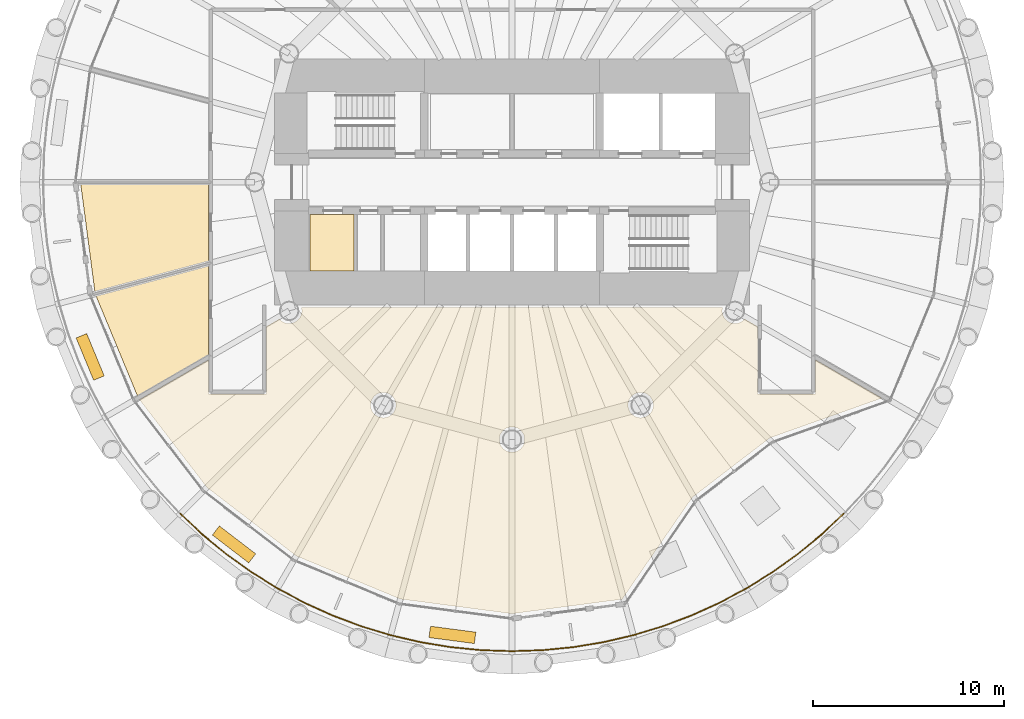
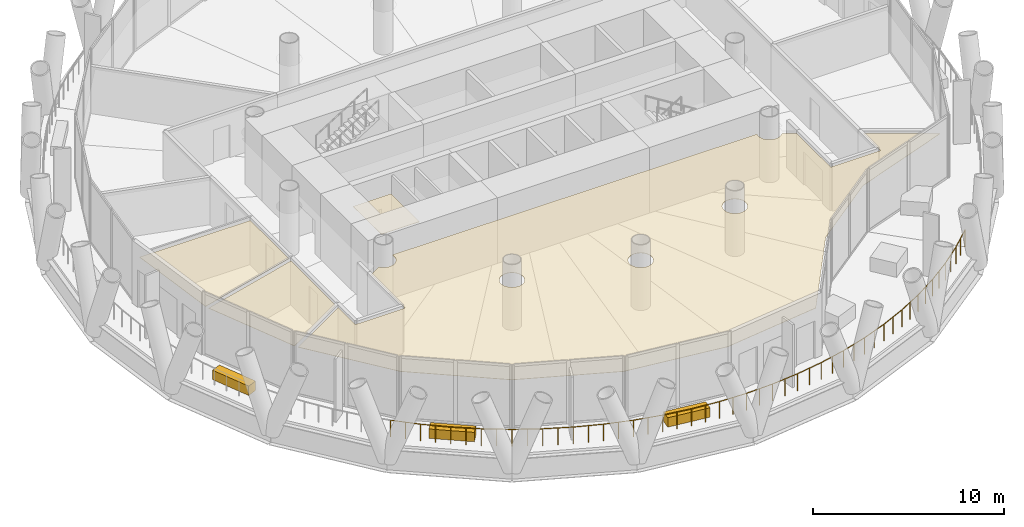
# One storey, part 12 of 15: 7 coverings, 1 railing.
"""IFC4 building model written with IfcOpenShell, lengths in metres."""

import ifcopenshell
import ifcopenshell.guid

model = None  # the IFC model being written
_history = None  # IfcOwnerHistory: only IFC2X3 demands one
_inside = {}  # id of a spatial element -> (the spatial element, [elements in it])
_under = {}  # id of a project, library or spatial element -> (it, [spatial elements below it])
_declared = {}  # id of a project -> (the project, [libraries it declares])
_typed = {}  # id of a type object -> (the type object, [elements of that type])
_made_of = {}  # id of a material, layer set ... -> (it, [elements and type objects made of it])


def new_model(schema):
    """Start an empty IFC model of exactly this schema.

    Asked for "IFC4X3", IfcOpenShell would pick the latest addendum, in which some entities
    have other attributes; the version numbers below select the first issue.
    IFC2X3 requires an IfcOwnerHistory on every rooted entity: one is made here for all.
    """
    global model, _history
    if schema == "IFC4X3":
        model = ifcopenshell.file(schema_version=(4, 3, 0, 0))
    else:
        model = ifcopenshell.file(schema=schema)
    _inside.clear()
    _under.clear()
    _declared.clear()
    _typed.clear()
    _made_of.clear()
    _history = None
    if model.schema == "IFC2X3":
        org = make("IfcOrganization", Name="unknown")
        user = make(
            "IfcPersonAndOrganization",
            ThePerson=make("IfcPerson", FamilyName="unknown"),
            TheOrganization=org,
        )
        app = make(
            "IfcApplication",
            ApplicationDeveloper=org,
            Version="unknown",
            ApplicationFullName="unknown",
            ApplicationIdentifier="unknown",
        )
        _history = make(
            "IfcOwnerHistory",
            OwningUser=user,
            OwningApplication=app,
            ChangeAction="ADDED",
            CreationDate=0,
        )
    return model


def make(cls, **values):
    """One entity of the class cls with the attributes given. An attribute that is None is left unset."""
    return model.create_entity(
        cls, **{name: value for name, value in values.items() if value is not None}
    )


def rooted(cls, **values):
    """An entity with a GlobalId (a new one), such as an element, a storey or a relation."""
    return make(cls, GlobalId=ifcopenshell.guid.new(), OwnerHistory=_history, **values)


def si_unit(unit_type, name, prefix=None):
    """IfcSIUnit, for example si_unit("LENGTHUNIT", "METRE", prefix="MILLI")."""
    return make("IfcSIUnit", UnitType=unit_type, Prefix=prefix, Name=name)


def assignment(units):
    """IfcUnitAssignment: the units of a project."""
    return None if units is None else make("IfcUnitAssignment", Units=units)


def point(xyz):
    """IfcCartesianPoint."""
    return None if xyz is None else make("IfcCartesianPoint", Coordinates=xyz)


def direction(xyz):
    """IfcDirection."""
    return None if xyz is None else make("IfcDirection", DirectionRatios=xyz)


def frame(location, z_axis=None, x_axis=None):
    """IfcAxis2Placement3D, a coordinate frame: its origin and axes. An axis left out is left unset."""
    return make(
        "IfcAxis2Placement3D",
        Location=point(location),
        Axis=direction(z_axis),
        RefDirection=direction(x_axis),
    )


def frame_2d(location, x_axis=None):
    """IfcAxis2Placement2D, a coordinate frame in the plane: its origin and x axis."""
    return make(
        "IfcAxis2Placement2D", Location=point(location), RefDirection=direction(x_axis)
    )


def origin():
    """The frame at (0, 0, 0) with its axes left unset."""
    return frame((0.0, 0.0, 0.0))


def origin_2d():
    """The frame at (0, 0) in the plane with its x axis left unset."""
    return frame_2d((0.0, 0.0))


def place(relative_to, where):
    """IfcLocalPlacement: puts the frame where relative to a parent placement (None: the world)."""
    return make(
        "IfcLocalPlacement", PlacementRelTo=relative_to, RelativePlacement=where
    )


def context(
    kind, dimensions, precision=None, world=None, true_north=None, identifier=None
):
    """IfcGeometricRepresentationContext, for example the 3D "Model" context."""
    return make(
        "IfcGeometricRepresentationContext",
        ContextIdentifier=identifier,
        ContextType=kind,
        CoordinateSpaceDimension=dimensions,
        Precision=precision,
        WorldCoordinateSystem=world,
        TrueNorth=true_north,
    )


def subcontext(parent, identifier, kind, view, scale=None):
    """IfcGeometricRepresentationSubContext, for example "Body" below "Model"."""
    return make(
        "IfcGeometricRepresentationSubContext",
        ContextIdentifier=identifier,
        ContextType=kind,
        ParentContext=parent,
        TargetScale=scale,
        TargetView=view,
    )


def project(units=None, contexts=None):
    """IfcProject with its units and contexts."""
    return rooted(
        "IfcProject",
        Name="project",
        RepresentationContexts=contexts,
        UnitsInContext=assignment(units),
    )


def spatial(cls, under=None, at=None, **own):
    """A site, building, storey or space (cls), placed at a placement, below another one or the project."""
    s = rooted(cls, ObjectPlacement=at, **own)
    if under is not None:
        _under.setdefault(under.id(), (under, []))[1].append(s)
    return s


def polyline(points):
    """IfcPolyline through the points."""
    return make("IfcPolyline", Points=[point(p) for p in points])


def profile(cls, at=None, kind="AREA", **sizes):
    """A parametric profile (cls). Its sizes go by their IFC names, for example OverallWidth=200.0."""
    return make(cls, ProfileType=kind, Position=at, **sizes)


def rectangle(**sizes):
    """IfcRectangleProfileDef."""
    return profile("IfcRectangleProfileDef", **sizes)


def circle(**sizes):
    """IfcCircleProfileDef."""
    return profile("IfcCircleProfileDef", **sizes)


def outline(outer, holes=None, kind="AREA"):
    """IfcArbitraryClosedProfileDef: a profile drawn as a closed curve; with holes, ...WithVoids."""
    if holes is None:
        return make("IfcArbitraryClosedProfileDef", ProfileType=kind, OuterCurve=outer)
    return make(
        "IfcArbitraryProfileDefWithVoids",
        ProfileType=kind,
        OuterCurve=outer,
        InnerCurves=holes,
    )


def extrude(swept, where, along, depth):
    """IfcExtrudedAreaSolid: the profile swept, set in the frame where, extruded along a direction by depth."""
    return make(
        "IfcExtrudedAreaSolid",
        SweptArea=swept,
        Position=where,
        ExtrudedDirection=direction(along),
        Depth=depth,
    )


def shape(context_of_items, identifier, shape_type, items):
    """IfcShapeRepresentation: the items that make up one representation, for example the "Body"."""
    return make(
        "IfcShapeRepresentation",
        ContextOfItems=context_of_items,
        RepresentationIdentifier=identifier,
        RepresentationType=shape_type,
        Items=items,
    )


def material(Name=None, Category=None):
    """IfcMaterial."""
    return make("IfcMaterial", Name=Name, Category=Category)


def layer(
    of_material, thickness, ventilated=None, Name=None, Category=None, Priority=None
):
    """IfcMaterialLayer: one layer of a wall or slab, of a material (None: an air gap)."""
    return make(
        "IfcMaterialLayer",
        Material=of_material,
        LayerThickness=thickness,
        IsVentilated=ventilated,
        Name=Name,
        Category=Category,
        Priority=Priority,
    )


def layer_set(layers, Name=None):
    """IfcMaterialLayerSet."""
    return make("IfcMaterialLayerSet", MaterialLayers=layers, LayerSetName=Name)


def made_of(thing, what):
    """Note that an element or type object is made of a material, layer set ...; save() writes the relation."""
    if what is not None:
        _made_of.setdefault(what.id(), (what, []))[1].append(thing)
    return thing


def type_object(cls, material=None, **own):
    """A type object (cls), such as IfcWallType, which elements share."""
    return made_of(rooted(cls, **own), material)


def element(
    cls,
    number,
    at=None,
    inside=None,
    cuts=None,
    type_object=None,
    material=None,
    context=None,
    identifier="Body",
    shape_type=None,
    held_by="IfcProductDefinitionShape",
    body=None,
    shapes=None,
    **own,
):
    """One element of the class cls, such as IfcWall. Its Tag is "e" and its number.

    at: its placement. inside: the storey or other place that contains it. cuts: it is an
    opening in that element (IfcRelVoidsElement). A single representation is given by context,
    identifier, shape_type and body (its items); several are given by shapes. held_by: the class
    of the entity that holds the representations. save() writes the other relations.
    """
    e = rooted(cls, Tag="e%d" % number, ObjectPlacement=at, **own)
    if body is not None:
        shapes = [shape(context, identifier, shape_type, body)]
    if shapes is not None:
        e.Representation = make(held_by, Representations=shapes)
    if inside is not None:
        _inside.setdefault(inside.id(), (inside, []))[1].append(e)
    if cuts is not None:
        rooted(
            "IfcRelVoidsElement", RelatingBuildingElement=cuts, RelatedOpeningElement=e
        )
    if type_object is not None:
        _typed.setdefault(type_object.id(), (type_object, []))[1].append(e)
    return made_of(e, material)


def aggregate(whole, parts):
    """IfcRelAggregates: a whole, such as a stair, and the parts it consists of."""
    return rooted("IfcRelAggregates", RelatingObject=whole, RelatedObjects=parts)


def save(model, path):
    """Write the relations noted so far, then the file.

    IfcRelAggregates (storeys below a building ...), IfcRelContainedInSpatialStructure (elements
    in a storey), IfcRelDefinesByType, IfcRelAssociatesMaterial and IfcRelDeclares: one each for
    every whole, place, type object, material and project.
    """
    for whole, parts in _under.values():
        aggregate(whole, parts)
    for where, things in _inside.values():
        rooted(
            "IfcRelContainedInSpatialStructure",
            RelatedElements=things,
            RelatingStructure=where,
        )
    for kind, things in _typed.values():
        rooted("IfcRelDefinesByType", RelatedObjects=things, RelatingType=kind)
    for what, things in _made_of.values():
        rooted("IfcRelAssociatesMaterial", RelatedObjects=things, RelatingMaterial=what)
    for by, libraries in _declared.values():
        rooted("IfcRelDeclares", RelatingContext=by, RelatedDefinitions=libraries)
    model.write(path)


model = new_model("IFC4")

# Units and contexts
model_context = context("Model", 3, precision=1e-05, world=origin(), true_north=direction((0.0, 1.0)))
body_context = subcontext(model_context, "Body", "Model", "MODEL_VIEW")
ifc_project = project(units=[si_unit("LENGTHUNIT", "METRE"), si_unit("AREAUNIT", "SQUARE_METRE"), si_unit("VOLUMEUNIT", "CUBIC_METRE"), si_unit("PLANEANGLEUNIT", "RADIAN"), si_unit("MASSUNIT", "GRAM", prefix="KILO")], contexts=[model_context])

# Site, building, storey
site_placement = place(None, origin())
site = spatial("IfcSite", under=ifc_project, at=site_placement, CompositionType="ELEMENT")
building_placement = place(site_placement, origin())
building = spatial("IfcBuilding", under=site, at=building_placement, Name="Qaws Media Tower", CompositionType="ELEMENT")
storey_placement = place(building_placement, frame((0.0, 0.0, 110.0)))
storey = spatial("IfcBuildingStorey", under=building, at=storey_placement, Name="L24", CompositionType="ELEMENT", Elevation=110.0)

# Railing
ifc_material_1 = material(Name="Stainless steel and glass guard", Category="steel")
railing_type = type_object("IfcRailingType", Name="Balcony guard 1100", PredefinedType="GUARDRAIL", material=ifc_material_1)
railing_placement = place(storey_placement, frame((42.605224609375, 32.605224609375, 0.0)))
element("IfcRailing", 1, at=railing_placement, inside=storey, type_object=railing_type, Name="GR1 balcony guard L24-3", PredefinedType="GUARDRAIL", context=body_context, shape_type="SweptSolid", body=[
    extrude(circle(Radius=0.02392578125, at=origin_2d()), frame((0.0, 0.0, 1.076171875), z_axis=(0.729783090483, -0.68367875559, 0.0), x_axis=(0.68367875559, 0.729783090483, 0.0)), (0.0, 0.0, 1.0), 1.60986328125),
    extrude(circle(Radius=0.02392578125, at=origin_2d()), frame((1.1748046875, -1.1005859375, 1.076171875), z_axis=(0.773010438254, -0.634393302574, 0.0), x_axis=(0.634393302574, 0.773010438254, 0.0)), (0.0, 0.0, 1.0), 1.60986328125),
    extrude(circle(Radius=0.02392578125, at=origin_2d()), frame((2.419189453125, -2.121826171875, 1.076171875), z_axis=(0.812912862639, -0.582385334428, 0.0), x_axis=(0.582385334428, 0.812912862639, 0.0)), (0.0, 0.0, 1.0), 1.60986328125),
    extrude(circle(Radius=0.02392578125, at=origin_2d()), frame((3.727783203125, -3.059326171875, 1.076171875), z_axis=(0.849180548432, -0.528102637907, 0.0), x_axis=(0.528102637907, 0.849180548432, 0.0)), (0.0, 0.0, 1.0), 1.609619140625),
    extrude(circle(Radius=0.02392578125, at=origin_2d()), frame((5.0947265625, -3.909423828125, 1.076171875), z_axis=(0.88193275575, -0.471375237295, 0.0), x_axis=(0.471375237295, 0.88193275575, 0.0)), (0.0, 0.0, 1.0), 1.609619140625),
    extrude(circle(Radius=0.02392578125, at=origin_2d()), frame((6.514404296875, -4.668212890625, 1.076171875), z_axis=(0.910822956151, -0.412797217224, 0.0), x_axis=(0.412797217224, 0.910822956151, 0.0)), (0.0, 0.0, 1.0), 1.60986328125),
    extrude(circle(Radius=0.02392578125, at=origin_2d()), frame((7.980712890625, -5.332763671875, 1.076171875), z_axis=(0.935935920435, -0.352170346338, 0.0), x_axis=(0.352170346338, 0.935935920435, 0.0)), (0.0, 0.0, 1.0), 1.609619140625),
    extrude(circle(Radius=0.02392578125, at=origin_2d()), frame((9.4873046875, -5.899658203125, 1.076171875), z_axis=(0.956945288685, -0.290268349056, 0.0), x_axis=(0.290268349056, 0.956945288685, 0.0)), (0.0, 0.0, 1.0), 1.60986328125),
    extrude(circle(Radius=0.02392578125, at=origin_2d()), frame((11.02783203125, -6.366943359375, 1.076171875), z_axis=(0.973882587592, -0.227052208943, 0.0), x_axis=(0.227052208943, 0.973882587592, 0.0)), (0.0, 0.0, 1.0), 1.609619140625),
    extrude(circle(Radius=0.02392578125, at=origin_2d()), frame((12.595458984375, -6.732421875, 1.076171875), z_axis=(0.986622483946, -0.163021698469, 0.0), x_axis=(0.163021698469, 0.986622483946, 0.0)), (0.0, 0.0, 1.0), 1.60986328125),
    extrude(circle(Radius=0.02392578125, at=origin_2d()), frame((14.183837890625, -6.994873046875, 1.076171875), z_axis=(0.995189172452, -0.09797199107, 0.0), x_axis=(0.09797199107, 0.995189172452, 0.0)), (0.0, 0.0, 1.0), 1.60986328125),
    extrude(circle(Radius=0.02392578125, at=origin_2d()), frame((15.785888671875, -7.152587890625, 1.076171875), z_axis=(0.999463268704, -0.032759342343, 0.0), x_axis=(0.032759342343, 0.999463268704, 0.0)), (0.0, 0.0, 1.0), 1.60986328125),
    extrude(circle(Radius=0.02392578125, at=origin_2d()), frame((17.394775390625, -7.205322265625, 1.076171875), z_axis=(0.999463268704, 0.032759342343, 0.0), x_axis=(-0.032759342343, 0.999463268704, 0.0)), (0.0, 0.0, 1.0), 1.60986328125),
    extrude(circle(Radius=0.02392578125, at=origin_2d()), frame((19.003662109375, -7.152587890625, 1.076171875), z_axis=(0.995189172452, 0.09797199107, 0.0), x_axis=(-0.09797199107, 0.995189172452, 0.0)), (0.0, 0.0, 1.0), 1.60986328125),
    extrude(circle(Radius=0.02392578125, at=origin_2d()), frame((20.605712890625, -6.994873046875, 1.076171875), z_axis=(0.986622483946, 0.163021698469, 0.0), x_axis=(-0.163021698469, 0.986622483946, 0.0)), (0.0, 0.0, 1.0), 1.60986328125),
    extrude(circle(Radius=0.02392578125, at=origin_2d()), frame((22.194091796875, -6.732421875, 1.076171875), z_axis=(0.973882587592, 0.227052208943, 0.0), x_axis=(-0.227052208943, 0.973882587592, 0.0)), (0.0, 0.0, 1.0), 1.609619140625),
    extrude(circle(Radius=0.02392578125, at=origin_2d()), frame((23.76171875, -6.366943359375, 1.076171875), z_axis=(0.956945288685, 0.290268349056, 0.0), x_axis=(-0.290268349056, 0.956945288685, 0.0)), (0.0, 0.0, 1.0), 1.60986328125),
    extrude(circle(Radius=0.02392578125, at=origin_2d()), frame((25.30224609375, -5.899658203125, 1.076171875), z_axis=(0.935935920435, 0.352170346338, 0.0), x_axis=(-0.352170346338, 0.935935920435, 0.0)), (0.0, 0.0, 1.0), 1.609619140625),
    extrude(circle(Radius=0.02392578125, at=origin_2d()), frame((26.808837890625, -5.332763671875, 1.076171875), z_axis=(0.910822956151, 0.412797217224, 0.0), x_axis=(-0.412797217224, 0.910822956151, 0.0)), (0.0, 0.0, 1.0), 1.60986328125),
    extrude(circle(Radius=0.02392578125, at=origin_2d()), frame((28.275146484375, -4.668212890625, 1.076171875), z_axis=(0.88193275575, 0.471375237295, 0.0), x_axis=(-0.471375237295, 0.88193275575, 0.0)), (0.0, 0.0, 1.0), 1.609619140625),
    extrude(circle(Radius=0.02392578125, at=origin_2d()), frame((29.69482421875, -3.909423828125, 1.076171875), z_axis=(0.849180548432, 0.528102637907, 0.0), x_axis=(-0.528102637907, 0.849180548432, 0.0)), (0.0, 0.0, 1.0), 1.609619140625),
    extrude(circle(Radius=0.02392578125, at=origin_2d()), frame((31.061767578125, -3.059326171875, 1.076171875), z_axis=(0.812912862639, 0.582385334428, 0.0), x_axis=(-0.582385334428, 0.812912862639, 0.0)), (0.0, 0.0, 1.0), 1.60986328125),
    extrude(circle(Radius=0.02392578125, at=origin_2d()), frame((32.370361328125, -2.121826171875, 1.076171875), z_axis=(0.773010438254, 0.634393302574, 0.0), x_axis=(-0.634393302574, 0.773010438254, 0.0)), (0.0, 0.0, 1.0), 1.60986328125),
    extrude(circle(Radius=0.02392578125, at=origin_2d()), frame((33.61474609375, -1.1005859375, 1.076171875), z_axis=(0.729783090483, 0.68367875559, 0.0), x_axis=(-0.68367875559, 0.729783090483, 0.0)), (0.0, 0.0, 1.0), 1.60986328125),
    extrude(circle(Radius=0.02099609375, at=origin_2d()), origin(), (0.0, 0.0, 1.0), 1.052001953125),
    extrude(circle(Radius=0.02099609375, at=origin_2d()), frame((0.58740234375, -0.55029296875, 0.0)), (0.0, 0.0, 1.0), 1.052001953125),
    extrude(circle(Radius=0.02099609375, at=origin_2d()), frame((1.1748046875, -1.1005859375, 0.0)), (0.0, 0.0, 1.0), 1.052001953125),
    extrude(circle(Radius=0.02099609375, at=origin_2d()), frame((1.796875, -1.611328125, 0.0)), (0.0, 0.0, 1.0), 1.052001953125),
    extrude(circle(Radius=0.02099609375, at=origin_2d()), frame((2.419189453125, -2.121826171875, 0.0)), (0.0, 0.0, 1.0), 1.052001953125),
    extrude(circle(Radius=0.02099609375, at=origin_2d()), frame((3.073486328125, -2.590576171875, 0.0)), (0.0, 0.0, 1.0), 1.052001953125),
    extrude(circle(Radius=0.02099609375, at=origin_2d()), frame((3.727783203125, -3.059326171875, 0.0)), (0.0, 0.0, 1.0), 1.052001953125),
    extrude(circle(Radius=0.02099609375, at=origin_2d()), frame((4.4111328125, -3.484375, 0.0)), (0.0, 0.0, 1.0), 1.052001953125),
    extrude(circle(Radius=0.02099609375, at=origin_2d()), frame((5.0947265625, -3.909423828125, 0.0)), (0.0, 0.0, 1.0), 1.052001953125),
    extrude(circle(Radius=0.02099609375, at=origin_2d()), frame((5.8046875, -4.288818359375, 0.0)), (0.0, 0.0, 1.0), 1.052001953125),
    extrude(circle(Radius=0.02099609375, at=origin_2d()), frame((6.514404296875, -4.668212890625, 0.0)), (0.0, 0.0, 1.0), 1.052001953125),
    extrude(circle(Radius=0.02099609375, at=origin_2d()), frame((7.24755859375, -5.00048828125, 0.0)), (0.0, 0.0, 1.0), 1.052001953125),
    extrude(circle(Radius=0.02099609375, at=origin_2d()), frame((7.980712890625, -5.332763671875, 0.0)), (0.0, 0.0, 1.0), 1.052001953125),
    extrude(circle(Radius=0.02099609375, at=origin_2d()), frame((8.73388671875, -5.6162109375, 0.0)), (0.0, 0.0, 1.0), 1.052001953125),
    extrude(circle(Radius=0.02099609375, at=origin_2d()), frame((9.4873046875, -5.899658203125, 0.0)), (0.0, 0.0, 1.0), 1.052001953125),
    extrude(circle(Radius=0.02099609375, at=origin_2d()), frame((10.257568359375, -6.13330078125, 0.0)), (0.0, 0.0, 1.0), 1.052001953125),
    extrude(circle(Radius=0.02099609375, at=origin_2d()), frame((11.02783203125, -6.366943359375, 0.0)), (0.0, 0.0, 1.0), 1.052001953125),
    extrude(circle(Radius=0.02099609375, at=origin_2d()), frame((11.8115234375, -6.5498046875, 0.0)), (0.0, 0.0, 1.0), 1.052001953125),
    extrude(circle(Radius=0.02099609375, at=origin_2d()), frame((12.595458984375, -6.732421875, 0.0)), (0.0, 0.0, 1.0), 1.052001953125),
    extrude(circle(Radius=0.02099609375, at=origin_2d()), frame((13.3896484375, -6.86376953125, 0.0)), (0.0, 0.0, 1.0), 1.052001953125),
    extrude(circle(Radius=0.02099609375, at=origin_2d()), frame((14.183837890625, -6.994873046875, 0.0)), (0.0, 0.0, 1.0), 1.052001953125),
    extrude(circle(Radius=0.02099609375, at=origin_2d()), frame((14.98486328125, -7.07373046875, 0.0)), (0.0, 0.0, 1.0), 1.052001953125),
    extrude(circle(Radius=0.02099609375, at=origin_2d()), frame((15.785888671875, -7.152587890625, 0.0)), (0.0, 0.0, 1.0), 1.052001953125),
    extrude(circle(Radius=0.02099609375, at=origin_2d()), frame((16.59033203125, -7.178955078125, 0.0)), (0.0, 0.0, 1.0), 1.052001953125),
    extrude(circle(Radius=0.02099609375, at=origin_2d()), frame((17.394775390625, -7.205322265625, 0.0)), (0.0, 0.0, 1.0), 1.052001953125),
    extrude(circle(Radius=0.02099609375, at=origin_2d()), frame((18.19921875, -7.178955078125, 0.0)), (0.0, 0.0, 1.0), 1.052001953125),
    extrude(circle(Radius=0.02099609375, at=origin_2d()), frame((19.003662109375, -7.152587890625, 0.0)), (0.0, 0.0, 1.0), 1.052001953125),
    extrude(circle(Radius=0.02099609375, at=origin_2d()), frame((19.8046875, -7.07373046875, 0.0)), (0.0, 0.0, 1.0), 1.052001953125),
    extrude(circle(Radius=0.02099609375, at=origin_2d()), frame((20.605712890625, -6.994873046875, 0.0)), (0.0, 0.0, 1.0), 1.052001953125),
    extrude(circle(Radius=0.02099609375, at=origin_2d()), frame((21.39990234375, -6.86376953125, 0.0)), (0.0, 0.0, 1.0), 1.052001953125),
    extrude(circle(Radius=0.02099609375, at=origin_2d()), frame((22.194091796875, -6.732421875, 0.0)), (0.0, 0.0, 1.0), 1.052001953125),
    extrude(circle(Radius=0.02099609375, at=origin_2d()), frame((22.97802734375, -6.5498046875, 0.0)), (0.0, 0.0, 1.0), 1.052001953125),
    extrude(circle(Radius=0.02099609375, at=origin_2d()), frame((23.76171875, -6.366943359375, 0.0)), (0.0, 0.0, 1.0), 1.052001953125),
    extrude(circle(Radius=0.02099609375, at=origin_2d()), frame((24.531982421875, -6.13330078125, 0.0)), (0.0, 0.0, 1.0), 1.052001953125),
    extrude(circle(Radius=0.02099609375, at=origin_2d()), frame((25.30224609375, -5.899658203125, 0.0)), (0.0, 0.0, 1.0), 1.052001953125),
    extrude(circle(Radius=0.02099609375, at=origin_2d()), frame((26.0556640625, -5.6162109375, 0.0)), (0.0, 0.0, 1.0), 1.052001953125),
    extrude(circle(Radius=0.02099609375, at=origin_2d()), frame((26.808837890625, -5.332763671875, 0.0)), (0.0, 0.0, 1.0), 1.052001953125),
    extrude(circle(Radius=0.02099609375, at=origin_2d()), frame((27.5419921875, -5.00048828125, 0.0)), (0.0, 0.0, 1.0), 1.052001953125),
    extrude(circle(Radius=0.02099609375, at=origin_2d()), frame((28.275146484375, -4.668212890625, 0.0)), (0.0, 0.0, 1.0), 1.052001953125),
    extrude(circle(Radius=0.02099609375, at=origin_2d()), frame((28.98486328125, -4.288818359375, 0.0)), (0.0, 0.0, 1.0), 1.052001953125),
    extrude(circle(Radius=0.02099609375, at=origin_2d()), frame((29.69482421875, -3.909423828125, 0.0)), (0.0, 0.0, 1.0), 1.052001953125),
    extrude(circle(Radius=0.02099609375, at=origin_2d()), frame((30.37841796875, -3.484375, 0.0)), (0.0, 0.0, 1.0), 1.052001953125),
    extrude(circle(Radius=0.02099609375, at=origin_2d()), frame((31.061767578125, -3.059326171875, 0.0)), (0.0, 0.0, 1.0), 1.052001953125),
    extrude(circle(Radius=0.02099609375, at=origin_2d()), frame((31.716064453125, -2.590576171875, 0.0)), (0.0, 0.0, 1.0), 1.052001953125),
    extrude(circle(Radius=0.02099609375, at=origin_2d()), frame((32.370361328125, -2.121826171875, 0.0)), (0.0, 0.0, 1.0), 1.052001953125),
    extrude(circle(Radius=0.02099609375, at=origin_2d()), frame((32.99267578125, -1.611328125, 0.0)), (0.0, 0.0, 1.0), 1.052001953125),
    extrude(circle(Radius=0.02099609375, at=origin_2d()), frame((33.61474609375, -1.1005859375, 0.0)), (0.0, 0.0, 1.0), 1.052001953125),
    extrude(circle(Radius=0.02099609375, at=origin_2d()), frame((34.2021484375, -0.55029296875, 0.0)), (0.0, 0.0, 1.0), 1.052001953125),
    extrude(circle(Radius=0.02099609375, at=origin_2d()), frame((34.78955078125, 0.0, 0.0)), (0.0, 0.0, 1.0), 1.052001953125),
])

# Coverings
ifc_material_2 = material(Name="600 x 600 mineral fibre tiles in exposed grid, suspended", Category="mineral fibre")
ifc_layer_1 = layer(ifc_material_2, 0.02001953125)
ifc_layer_set_1 = layer_set([ifc_layer_1], Name="Mineral fibre tile ceiling 20")
covering_type_1 = type_object("IfcCoveringType", Name="Mineral fibre tile ceiling 20", PredefinedType="CEILING", material=ifc_layer_set_1)
covering_1_placement = place(storey_placement, frame((0.0, 0.0, 2.85009765625)))
element("IfcCovering", 2, at=covering_1_placement, inside=storey, type_object=covering_type_1, Name="CL1 ceiling L24-05 Office", PredefinedType="CEILING", context=body_context, shape_type="SweptSolid", body=[
    extrude(outline(polyline([(37.379638671875, 49.887451171875), (44.08740234375, 49.887451171875), (44.08740234375, 45.852783203125), (38.12109375, 44.254150390625), (37.379638671875, 49.887451171875)])), origin(), (0.0, 0.0, 1.0), 0.02001953125),
])
covering_2_placement = place(storey_placement, frame((0.0, 0.0, 2.85009765625)))
element("IfcCovering", 3, at=covering_2_placement, inside=storey, type_object=covering_type_1, Name="CL1 ceiling L24-06 Office", PredefinedType="CEILING", context=body_context, shape_type="SweptSolid", body=[
    extrude(outline(polyline([(38.179443359375, 44.03662109375), (44.08740234375, 45.619873046875), (44.08740234375, 40.94287109375), (40.35400390625, 38.787109375), (38.179443359375, 44.03662109375)])), origin(), (0.0, 0.0, 1.0), 0.02001953125),
])
covering_3_placement = place(storey_placement, frame((0.0, 0.0, 2.85009765625)))
element("IfcCovering", 4, at=covering_3_placement, inside=storey, type_object=covering_type_1, Name="CL1 ceiling L24-07 Sales office", PredefinedType="CEILING", context=body_context, shape_type="SweptSolid", body=[
    extrude(outline(polyline([(72.887451171875, 38.887451171875), (75.91259765625, 38.887451171875), (75.91259765625, 40.68310546875), (79.39404296875, 38.673095703125), (73.520263671875, 36.586181640625), (69.457275390625, 33.46875), (65.777099609375, 28.125244140625), (60.0, 27.36474609375), (54.1416015625, 28.135986328125), (48.682373046875, 30.397216796875), (43.994384765625, 33.994384765625), (40.46630859375, 38.59228515625), (44.08740234375, 40.68310546875), (44.08740234375, 38.887451171875), (47.112548828125, 38.887451171875), (47.112548828125, 42.429443359375), (47.795654296875, 42.823974609375), (47.836181640625, 42.777587890625), (47.902099609375, 42.719970703125), (47.974609375, 42.67138671875), (48.052978515625, 42.6328125), (48.1357421875, 42.604736328125), (48.221435546875, 42.587646484375), (48.30859375, 42.58203125), (48.395751953125, 42.587646484375), (48.4814453125, 42.604736328125), (48.564208984375, 42.6328125), (48.642578125, 42.67138671875), (48.71533203125, 42.719970703125), (48.781005859375, 42.777587890625), (48.838623046875, 42.84326171875), (48.88720703125, 42.916015625), (48.92578125, 42.994384765625), (48.953857421875, 43.0771484375), (48.970947265625, 43.162841796875), (48.976806640625, 43.25), (48.970947265625, 43.337158203125), (48.953857421875, 43.4228515625), (48.948974609375, 43.4375), (71.051025390625, 43.4375), (71.046142578125, 43.4228515625), (71.029052734375, 43.337158203125), (71.023193359375, 43.25), (71.029052734375, 43.162841796875), (71.046142578125, 43.0771484375), (71.07421875, 42.994384765625), (71.11279296875, 42.916015625), (71.161376953125, 42.84326171875), (71.218994140625, 42.777587890625), (71.28466796875, 42.719970703125), (71.357421875, 42.67138671875), (71.435791015625, 42.6328125), (71.5185546875, 42.604736328125), (71.604248046875, 42.587646484375), (71.69140625, 42.58203125), (71.778564453125, 42.587646484375), (71.8642578125, 42.604736328125), (71.947021484375, 42.6328125), (72.025390625, 42.67138671875), (72.097900390625, 42.719970703125), (72.163818359375, 42.777587890625), (72.204345703125, 42.823974609375), (72.887451171875, 42.429443359375), (72.887451171875, 38.887451171875)]), holes=[polyline([(53.895263671875, 38.1357421875), (53.912353515625, 38.221435546875), (53.91796875, 38.30859375), (53.912353515625, 38.395751953125), (53.895263671875, 38.4814453125), (53.8671875, 38.564208984375), (53.82861328125, 38.642578125), (53.780029296875, 38.71533203125), (53.722412109375, 38.781005859375), (53.65673828125, 38.838623046875), (53.583984375, 38.88720703125), (53.505615234375, 38.92578125), (53.4228515625, 38.953857421875), (53.337158203125, 38.970947265625), (53.25, 38.976806640625), (53.162841796875, 38.970947265625), (53.0771484375, 38.953857421875), (52.994384765625, 38.92578125), (52.916015625, 38.88720703125), (52.84326171875, 38.838623046875), (52.777587890625, 38.781005859375), (52.719970703125, 38.71533203125), (52.67138671875, 38.642578125), (52.6328125, 38.564208984375), (52.604736328125, 38.4814453125), (52.587646484375, 38.395751953125), (52.58203125, 38.30859375), (52.587646484375, 38.221435546875), (52.604736328125, 38.1357421875), (52.6328125, 38.052978515625), (52.67138671875, 37.974609375), (52.719970703125, 37.902099609375), (52.777587890625, 37.836181640625), (52.84326171875, 37.77880859375), (52.916015625, 37.730224609375), (52.994384765625, 37.69140625), (53.0771484375, 37.663330078125), (53.162841796875, 37.646484375), (53.25, 37.640625), (53.337158203125, 37.646484375), (53.4228515625, 37.663330078125), (53.505615234375, 37.69140625), (53.583984375, 37.730224609375), (53.65673828125, 37.77880859375), (53.722412109375, 37.836181640625), (53.780029296875, 37.902099609375), (53.82861328125, 37.974609375), (53.8671875, 38.052978515625), (53.895263671875, 38.1357421875)]), polyline([(60.645263671875, 36.3271484375), (60.662353515625, 36.412841796875), (60.66796875, 36.5), (60.662353515625, 36.587158203125), (60.645263671875, 36.6728515625), (60.6171875, 36.755615234375), (60.57861328125, 36.833984375), (60.530029296875, 36.90673828125), (60.472412109375, 36.972412109375), (60.40673828125, 37.030029296875), (60.333984375, 37.07861328125), (60.255615234375, 37.1171875), (60.1728515625, 37.145263671875), (60.087158203125, 37.162353515625), (60.0, 37.16796875), (59.912841796875, 37.162353515625), (59.8271484375, 37.145263671875), (59.744384765625, 37.1171875), (59.666015625, 37.07861328125), (59.59326171875, 37.030029296875), (59.527587890625, 36.972412109375), (59.469970703125, 36.90673828125), (59.42138671875, 36.833984375), (59.3828125, 36.755615234375), (59.354736328125, 36.6728515625), (59.337646484375, 36.587158203125), (59.33203125, 36.5), (59.337646484375, 36.412841796875), (59.354736328125, 36.3271484375), (59.3828125, 36.244384765625), (59.42138671875, 36.166015625), (59.469970703125, 36.09326171875), (59.527587890625, 36.027587890625), (59.59326171875, 35.969970703125), (59.666015625, 35.92138671875), (59.744384765625, 35.8828125), (59.8271484375, 35.854736328125), (59.912841796875, 35.837646484375), (60.0, 35.83203125), (60.087158203125, 35.837646484375), (60.1728515625, 35.854736328125), (60.255615234375, 35.8828125), (60.333984375, 35.92138671875), (60.40673828125, 35.969970703125), (60.472412109375, 36.027587890625), (60.530029296875, 36.09326171875), (60.57861328125, 36.166015625), (60.6171875, 36.244384765625), (60.645263671875, 36.3271484375)]), polyline([(67.3671875, 38.052978515625), (67.395263671875, 38.1357421875), (67.412353515625, 38.221435546875), (67.41796875, 38.30859375), (67.412353515625, 38.395751953125), (67.395263671875, 38.4814453125), (67.3671875, 38.564208984375), (67.32861328125, 38.642578125), (67.280029296875, 38.71533203125), (67.222412109375, 38.781005859375), (67.15673828125, 38.838623046875), (67.083984375, 38.88720703125), (67.005615234375, 38.92578125), (66.9228515625, 38.953857421875), (66.837158203125, 38.970947265625), (66.75, 38.976806640625), (66.662841796875, 38.970947265625), (66.5771484375, 38.953857421875), (66.494384765625, 38.92578125), (66.416015625, 38.88720703125), (66.34326171875, 38.838623046875), (66.277587890625, 38.781005859375), (66.219970703125, 38.71533203125), (66.17138671875, 38.642578125), (66.1328125, 38.564208984375), (66.104736328125, 38.4814453125), (66.087646484375, 38.395751953125), (66.08203125, 38.30859375), (66.087646484375, 38.221435546875), (66.104736328125, 38.1357421875), (66.1328125, 38.052978515625), (66.17138671875, 37.974609375), (66.219970703125, 37.902099609375), (66.277587890625, 37.836181640625), (66.34326171875, 37.77880859375), (66.416015625, 37.730224609375), (66.494384765625, 37.69140625), (66.5771484375, 37.663330078125), (66.662841796875, 37.646484375), (66.75, 37.640625), (66.837158203125, 37.646484375), (66.9228515625, 37.663330078125), (67.005615234375, 37.69140625), (67.083984375, 37.730224609375), (67.15673828125, 37.77880859375), (67.222412109375, 37.836181640625), (67.280029296875, 37.902099609375), (67.32861328125, 37.974609375), (67.3671875, 38.052978515625)])]), origin(), (0.0, 0.0, 1.0), 0.02001953125),
])
ifc_material_3 = material(Name="Precast concrete planter with trailing planting", Category="concrete")
ifc_layer_2 = layer(ifc_material_3, 0.60009765625)
ifc_layer_set_2 = layer_set([ifc_layer_2], Name="Planter 2400x600")
covering_type_2 = type_object("IfcCoveringType", Name="Planter 2400x600", PredefinedType="USERDEFINED", material=ifc_layer_set_2)
for number, where, z_axis, x_axis, name in (
    (5, (37.873046875, 40.834716796875, 0.0), (0.0, 0.0, 1.0), (0.382683432365, -0.923879532511, 0.0), "PL1 balcony planter L24-07"),
    (6, (45.420166015625, 30.999267578125, 0.0), (0.0, 0.0, 1.0), (0.793353340291, -0.608761429009, 0.0), "PL1 balcony planter L24-08"),
    (7, (56.873779296875, 26.2548828125, 0.0), (0.0, 0.0, 1.0), (0.991444861374, -0.13052619222, 0.0), "PL1 balcony planter L24-09"),
):
    element("IfcCovering", number, at=place(storey_placement, frame(where, z_axis=z_axis, x_axis=x_axis)), inside=storey, type_object=covering_type_2, Name=name, ObjectType="PLANTER", PredefinedType="USERDEFINED", context=body_context, shape_type="SweptSolid", body=[
        extrude(rectangle(XDim=2.39990234375, YDim=0.60009765625, at=origin_2d()), origin(), (0.0, 0.0, 1.0), 0.60009765625),
    ])
ifc_material_4 = material(Name="Two layers 12.5 moisture-resistant plasterboard on suspended metal furring", Category="gypsum")
ifc_layer_3 = layer(ifc_material_4, 0.02490234375)
ifc_layer_set_3 = layer_set([ifc_layer_3], Name="Plasterboard ceiling 25")
covering_type_3 = type_object("IfcCoveringType", Name="Plasterboard ceiling 25", PredefinedType="CEILING", material=ifc_layer_set_3)
covering_4_placement = place(storey_placement, frame((0.0, 0.0, 2.85009765625)))
element("IfcCovering", 8, at=covering_4_placement, inside=storey, type_object=covering_type_3, Name="CL2 ceiling L24-C04 Accessible WC", PredefinedType="CEILING", context=body_context, shape_type="SweptSolid", body=[
    extrude(outline(polyline([(49.39990234375, 45.35009765625), (49.39990234375, 48.300048828125), (51.699951171875, 48.300048828125), (51.699951171875, 45.35009765625), (49.39990234375, 45.35009765625)])), origin(), (0.0, 0.0, 1.0), 0.02490234375),
])

save(model, "model.ifc")
